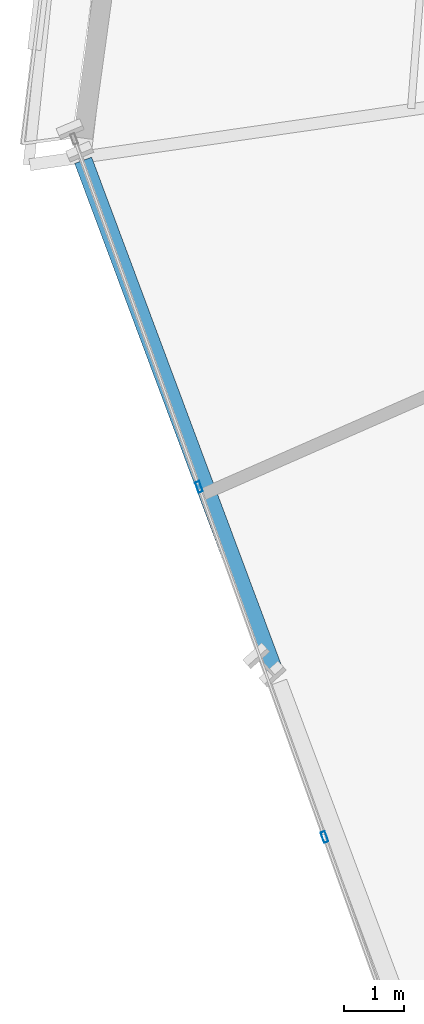
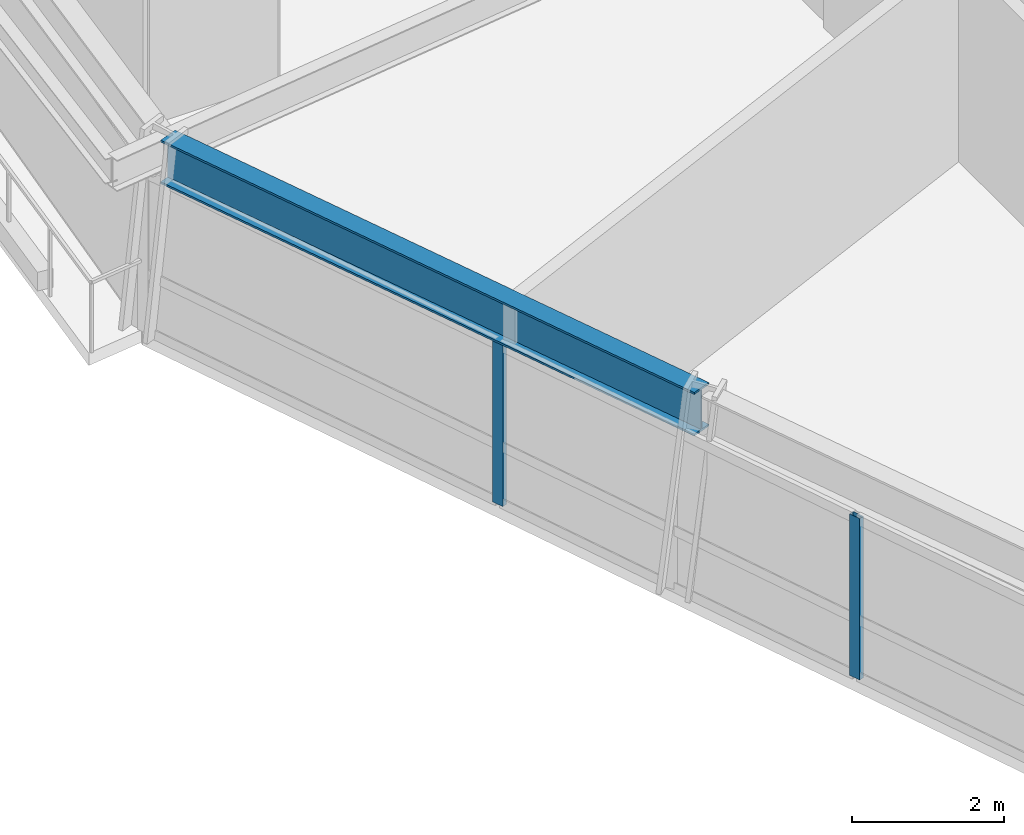
# One storey, part 4 of 24: 2 members, 1 beam, 1 element without a shape of its own.
"""IFC4 building model written with IfcOpenShell, lengths in metres."""

from ifc_helpers import new_model, si_unit, direction, frame, origin, origin_2d, place, context, subcontext, project, spatial, hollow_rectangle, i_section, extrude, source, transform, mapped, material, material_profile, profile_set, type_object, element, aggregate, save


model = new_model("IFC4")

# Units and contexts
model_context = context("Model", 3, precision=1e-05, world=origin(), true_north=direction((0.0, 1.0)))
body_context = subcontext(model_context, "Body", "Model", "MODEL_VIEW")
ifc_project = project(units=[si_unit("LENGTHUNIT", "METRE"), si_unit("AREAUNIT", "SQUARE_METRE"), si_unit("VOLUMEUNIT", "CUBIC_METRE"), si_unit("PLANEANGLEUNIT", "RADIAN"), si_unit("MASSUNIT", "GRAM", prefix="KILO")], contexts=[model_context])

# Site, building, storey
site_placement = place(None, origin())
site = spatial("IfcSite", under=ifc_project, at=site_placement, CompositionType="ELEMENT")
building_placement = place(site_placement, origin())
building = spatial("IfcBuilding", under=site, at=building_placement, Name="Olszyna Solenne Hotel", CompositionType="ELEMENT")
storey_placement = place(building_placement, frame((0.0, 0.0, 64.800048828125)))
storey = spatial("IfcBuildingStorey", under=building, at=storey_placement, Name="L16", CompositionType="ELEMENT", Elevation=64.800048828125)

# Beam
ifc_material_1 = material(Name="Steel S355J2", Category="steel")
ifc_material_profile_1 = material_profile(ifc_material_1, i_section(OverallWidth=0.300048828125, OverallDepth=0.699951171875, WebThickness=0.01708984375, FlangeThickness=0.031982421875, at=origin_2d()), Name="HEB 700", Category="load-bearing")
ifc_profile_set_1 = profile_set([ifc_material_profile_1], Name="Steel S355J2")
beam_type = type_object("IfcBeamType", Name="BM-S1", PredefinedType="BEAM", material=ifc_profile_set_1)
shared_shape_1 = source(origin(), body_context, "Body", "SweptSolid", [
    extrude(i_section(OverallWidth=0.300048828125, OverallDepth=0.699951171875, WebThickness=0.01708984375, FlangeThickness=0.031982421875, at=origin_2d()), origin(), (0.0, 0.0, 1.0), 9.09716796875),
])
beam_placement = place(storey_placement, frame((16.144287109375, 23.39404296875, 2.949951171875), z_axis=(0.34995263902, -0.93676739399, 0.0), x_axis=(0.93676739399, 0.34995263902, 0.0)))
element("IfcBeam", 1, at=beam_placement, inside=storey, type_object=beam_type, Name="Perimeter spandrel beam BM-S1 B-L16-0501", PredefinedType="BEAM", context=body_context, shape_type="MappedRepresentation", body=[
    mapped(shared_shape_1, transform((0.0, 0.0, 0.0), x_axis=(1.0, 0.0, 0.0), y_axis=(0.0, 1.0, 0.0), z_axis=(0.0, 0.0, 1.0), scale=1.0)),
])

# Curtain wall, members
ifc_material_2 = material(Name="Anodised bronze aluminium", Category="aluminium")
curtain_wall_type = type_object("IfcCurtainWallType", Name="CW-SYS-2", PredefinedType="NOTDEFINED", material=ifc_material_2)
curtain_wall_placement = place(storey_placement, origin())
curtain_wall = element("IfcCurtainWall", 2, at=curtain_wall_placement, inside=storey, type_object=curtain_wall_type, Name="Unitised curtain wall CW-SYS-2 CW-L16-01", PredefinedType="NOTDEFINED")
ifc_material_profile_2 = material_profile(ifc_material_2, hollow_rectangle(XDim=0.074951171875, YDim=0.179931640625, WallThickness=0.00439453125, at=origin_2d()), Name="MULL 180x75x4.5", Category="load-bearing")
ifc_profile_set_2 = profile_set([ifc_material_profile_2], Name="Anodised bronze aluminium")
member_type = type_object("IfcMemberType", Name="CW-M2", PredefinedType="MULLION", material=ifc_profile_set_2)
shared_shape_2 = source(origin(), body_context, "Body", "SweptSolid", [
    extrude(hollow_rectangle(XDim=0.074951171875, YDim=0.179931640625, WallThickness=0.00439453125, at=origin_2d()), origin(), (0.0, 0.0, 1.0), 2.592041015625),
])
member_1_placement = place(storey_placement, frame((18.059814453125, 17.992431640625, 0.0), z_axis=(0.0, 0.0, 1.0), x_axis=(0.941289089239, 0.337601615042, 0.0)))
member_1 = element("IfcMember", 3, at=member_1_placement, type_object=member_type, Name="Curtain-wall mullion CW-M2 CM-L16-01-02", PredefinedType="MULLION", context=body_context, shape_type="MappedRepresentation", body=[
    mapped(shared_shape_2, transform((0.0, 0.0, 0.0), x_axis=(1.0, 0.0, 0.0), y_axis=(0.0, 1.0, 0.0), z_axis=(0.0, 0.0, 1.0), scale=1.0)),
])
member_2_placement = place(storey_placement, frame((20.13671875, 12.201416015625, 0.0), z_axis=(0.0, 0.0, 1.0), x_axis=(0.941289089239, 0.337601615042, 0.0)))
member_2 = element("IfcMember", 4, at=member_2_placement, type_object=member_type, Name="Curtain-wall mullion CW-M2 CM-L16-01-03", PredefinedType="MULLION", context=body_context, shape_type="MappedRepresentation", body=[
    mapped(shared_shape_2, transform((0.0, 0.0, 0.0), x_axis=(1.0, 0.0, 0.0), y_axis=(0.0, 1.0, 0.0), z_axis=(0.0, 0.0, 1.0), scale=1.0)),
])
aggregate(curtain_wall, [member_1, member_2])

save(model, "model.ifc")
